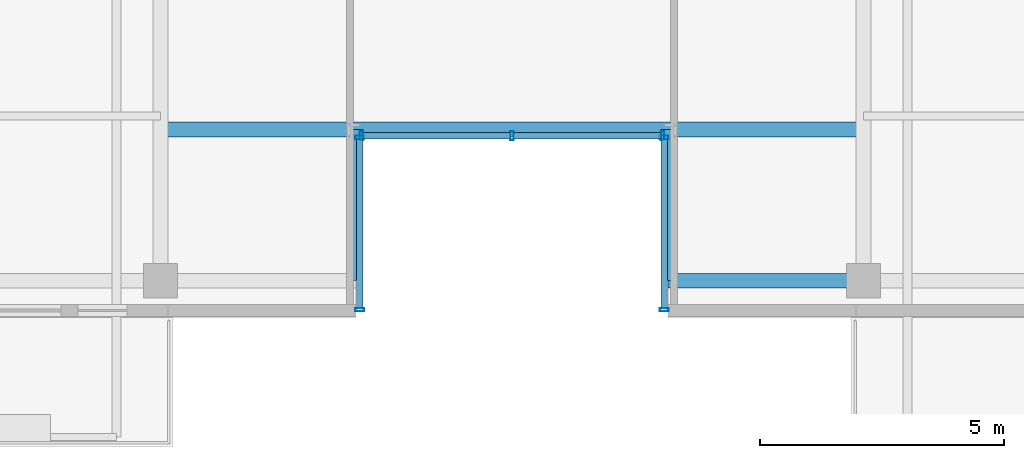
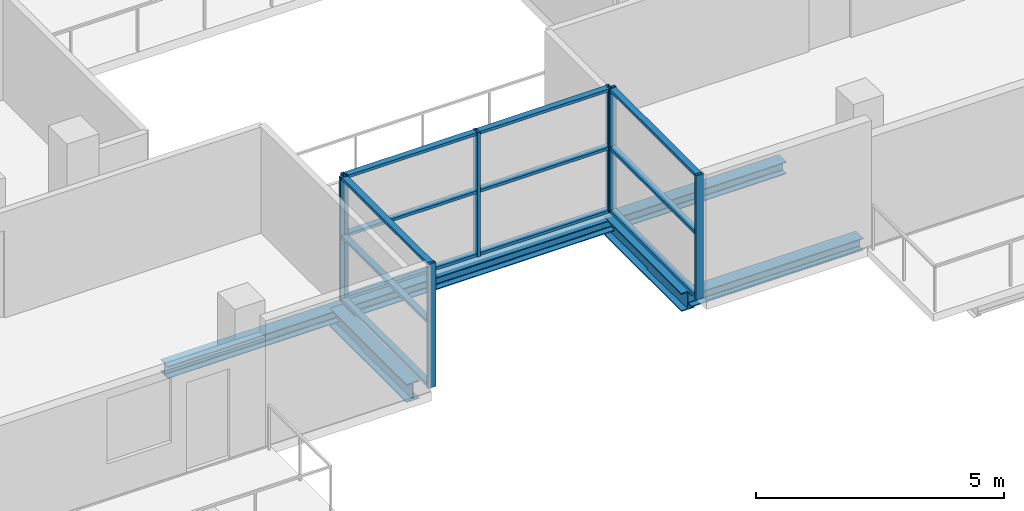
# One storey, part 3 of 21: 19 members, 4 beams, 3 elements without a shape of their own.
"""IFC4 building model written with IfcOpenShell, lengths in metres."""

from ifc_helpers import new_model, si_unit, direction, frame, origin, origin_2d, place, context, subcontext, project, spatial, hollow_rectangle, i_section, extrude, source, transform, mapped, material, layer, layer_set, material_profile, profile_set, type_object, element, aggregate, save


model = new_model("IFC4")

# Units and contexts
model_context = context("Model", 3, precision=1e-05, world=origin(), true_north=direction((0.0, 1.0)))
body_context = subcontext(model_context, "Body", "Model", "MODEL_VIEW")
ifc_project = project(units=[si_unit("LENGTHUNIT", "METRE"), si_unit("AREAUNIT", "SQUARE_METRE"), si_unit("VOLUMEUNIT", "CUBIC_METRE"), si_unit("PLANEANGLEUNIT", "RADIAN"), si_unit("MASSUNIT", "GRAM", prefix="KILO")], contexts=[model_context])

# Site, building, storey
site_placement = place(None, origin())
site = spatial("IfcSite", under=ifc_project, at=site_placement, CompositionType="ELEMENT")
building_placement = place(site_placement, origin())
building = spatial("IfcBuilding", under=site, at=building_placement, Name="Zarnakvel Exchange Tower", CompositionType="ELEMENT")
storey_placement = place(building_placement, frame((0.0, 0.0, 241.89990234375)))
storey = spatial("IfcBuildingStorey", under=building, at=storey_placement, Name="L68", CompositionType="ELEMENT", Elevation=241.89990234375)

# Beams
ifc_material_1 = material(Name="Steel S355", Category="steel")
ifc_material_profile_1 = material_profile(ifc_material_1, i_section(OverallWidth=0.300048828125, OverallDepth=0.449951171875, WebThickness=0.013916015625, FlangeThickness=0.02587890625, FilletRadius=0.027099609375, at=origin_2d()))
ifc_profile_set_1 = profile_set([ifc_material_profile_1], Name="Steel S355")
beam_type_1 = type_object("IfcBeamType", Name="G-07", PredefinedType="BEAM", material=ifc_profile_set_1)
for number, where, z_axis, x_axis, name in (
    (1, (-3.199951171875, -16.35009765625, -0.449951171875), (0.0, 1.0, 0.0), (-1.0, 0.0, 0.0), "L68 South Slot West Cheek Beam"),
    (2, (3.199951171875, -16.35009765625, -0.449951171875), (0.0, 1.0, 0.0), (-1.0, 0.0, 0.0), "L68 South Slot East Cheek Beam"),
):
    element("IfcBeam", number, at=place(storey_placement, frame(where, z_axis=z_axis, x_axis=x_axis)), inside=storey, type_object=beam_type_1, Name=name, PredefinedType="BEAM", context=body_context, shape_type="SweptSolid", body=[
        extrude(i_section(OverallWidth=0.300048828125, OverallDepth=0.449951171875, WebThickness=0.013916015625, FlangeThickness=0.02587890625, FilletRadius=0.027099609375, at=origin_2d()), origin(), (0.0, 0.0, 1.0), 3.10009765625),
    ])
ifc_material_profile_2 = material_profile(ifc_material_1, i_section(OverallWidth=0.300048828125, OverallDepth=0.300048828125, WebThickness=0.010986328125, FlangeThickness=0.01904296875, FilletRadius=0.027099609375, at=origin_2d()))
ifc_profile_set_2 = profile_set([ifc_material_profile_2], Name="Steel S355")
beam_type_2 = type_object("IfcBeamType", Name="SP-03", PredefinedType="SPANDREL", material=ifc_profile_set_2)
beam_1_placement = place(storey_placement, frame((3.199951171875, -16.35009765625, -0.375), z_axis=(1.0, 0.0, 0.0), x_axis=(0.0, 1.0, 0.0)))
element("IfcBeam", 3, at=beam_1_placement, inside=storey, type_object=beam_type_2, Name="L68 South Slot East Jamb Spandrel", PredefinedType="SPANDREL", context=body_context, shape_type="SweptSolid", body=[
    extrude(i_section(OverallWidth=0.300048828125, OverallDepth=0.300048828125, WebThickness=0.010986328125, FlangeThickness=0.01904296875, FilletRadius=0.027099609375, at=origin_2d()), origin(), (0.0, 0.0, 1.0), 4.0),
])
beam_2_placement = place(storey_placement, frame((-7.199951171875, -13.25, -0.375), z_axis=(1.0, 0.0, 0.0), x_axis=(0.0, 1.0, 0.0)))
element("IfcBeam", 4, at=beam_2_placement, inside=storey, type_object=beam_type_2, Name="L68 South Slot Head Trimmer Girder", PredefinedType="SPANDREL", context=body_context, shape_type="SweptSolid", body=[
    extrude(i_section(OverallWidth=0.300048828125, OverallDepth=0.300048828125, WebThickness=0.010986328125, FlangeThickness=0.01904296875, FilletRadius=0.027099609375, at=origin_2d()), origin(), (0.0, 0.0, 1.0), 14.39990234375),
])

# Curtain wall, members
ifc_material_2 = material(Name="Architectural Bronze Anodised Aluminium", Category="aluminium")
ifc_layer = layer(ifc_material_2, 0.179931640625)
ifc_layer_set = layer_set([ifc_layer], Name="Architectural Bronze Anodised Aluminium")
curtain_wall_type = type_object("IfcCurtainWallType", Name="CW-05", PredefinedType="NOTDEFINED", material=ifc_layer_set)
curtain_wall_1_placement = place(storey_placement, origin())
curtain_wall_1 = element("IfcCurtainWall", 5, at=curtain_wall_1_placement, inside=storey, type_object=curtain_wall_type, Name="L68 Curtain Wall CW-L68-SLW (CW-05)", PredefinedType="NOTDEFINED")
ifc_material_profile_3 = material_profile(ifc_material_2, hollow_rectangle(XDim=0.179931640625, YDim=0.070068359375, WallThickness=0.00390625, at=origin_2d()))
ifc_profile_set_3 = profile_set([ifc_material_profile_3], Name="Architectural Bronze Anodised Aluminium")
member_type_1 = type_object("IfcMemberType", Name="CWM-05", PredefinedType="MULLION", material=ifc_profile_set_3)
shared_shape_1 = source(origin(), body_context, "Body", "SweptSolid", [
    extrude(hollow_rectangle(XDim=0.179931640625, YDim=0.070068359375, WallThickness=0.00390625, at=origin_2d()), origin(), (0.0, 0.0, 1.0), 3.05517578125),
])
member_1_placement = place(storey_placement, frame((-3.1201171875, -16.945068359375, 0.0), z_axis=(0.0, 0.0, 1.0), x_axis=(-1.0, 0.0, 0.0)))
member_1 = element("IfcMember", 6, at=member_1_placement, type_object=member_type_1, Name="CW-05 mullion 1", PredefinedType="MULLION", context=body_context, shape_type="MappedRepresentation", body=[
    mapped(shared_shape_1, transform((0.0, 0.0, 0.0), x_axis=(1.0, 0.0, 0.0), y_axis=(0.0, 1.0, 0.0), z_axis=(0.0, 0.0, 1.0), scale=1.0)),
])
member_2_placement = place(storey_placement, frame((-3.1201171875, -13.4150390625, 0.0), z_axis=(0.0, 0.0, 1.0), x_axis=(-1.0, 0.0, 0.0)))
member_2 = element("IfcMember", 7, at=member_2_placement, type_object=member_type_1, Name="CW-05 mullion 2", PredefinedType="MULLION", context=body_context, shape_type="MappedRepresentation", body=[
    mapped(shared_shape_1, transform((0.0, 0.0, 0.0), x_axis=(1.0, 0.0, 0.0), y_axis=(0.0, 1.0, 0.0), z_axis=(0.0, 0.0, 1.0), scale=1.0)),
])

curtain_wall_2_placement = place(storey_placement, origin())
curtain_wall_2 = element("IfcCurtainWall", 8, at=curtain_wall_2_placement, inside=storey, type_object=curtain_wall_type, Name="L68 Curtain Wall CW-L68-SLB (CW-05)", PredefinedType="NOTDEFINED")
member_3_placement = place(storey_placement, frame((-3.0849609375, -13.3798828125, 0.0), z_axis=(0.0, 0.0, 1.0), x_axis=(0.0, 1.0, 0.0)))
member_3 = element("IfcMember", 9, at=member_3_placement, type_object=member_type_1, Name="CW-05 mullion 1", PredefinedType="MULLION", context=body_context, shape_type="MappedRepresentation", body=[
    mapped(shared_shape_1, transform((0.0, 0.0, 0.0), x_axis=(1.0, 0.0, 0.0), y_axis=(0.0, 1.0, 0.0), z_axis=(0.0, 0.0, 1.0), scale=1.0)),
])
member_4_placement = place(storey_placement, frame((0.0, -13.3798828125, 0.0), z_axis=(0.0, 0.0, 1.0), x_axis=(0.0, 1.0, 0.0)))
member_4 = element("IfcMember", 10, at=member_4_placement, type_object=member_type_1, Name="CW-05 mullion 2", PredefinedType="MULLION", context=body_context, shape_type="MappedRepresentation", body=[
    mapped(shared_shape_1, transform((0.0, 0.0, 0.0), x_axis=(1.0, 0.0, 0.0), y_axis=(0.0, 1.0, 0.0), z_axis=(0.0, 0.0, 1.0), scale=1.0)),
])
member_5_placement = place(storey_placement, frame((3.0849609375, -13.3798828125, 0.0), z_axis=(0.0, 0.0, 1.0), x_axis=(0.0, 1.0, 0.0)))
member_5 = element("IfcMember", 11, at=member_5_placement, type_object=member_type_1, Name="CW-05 mullion 3", PredefinedType="MULLION", context=body_context, shape_type="MappedRepresentation", body=[
    mapped(shared_shape_1, transform((0.0, 0.0, 0.0), x_axis=(1.0, 0.0, 0.0), y_axis=(0.0, 1.0, 0.0), z_axis=(0.0, 0.0, 1.0), scale=1.0)),
])

curtain_wall_3_placement = place(storey_placement, origin())
curtain_wall_3 = element("IfcCurtainWall", 12, at=curtain_wall_3_placement, inside=storey, type_object=curtain_wall_type, Name="L68 Curtain Wall CW-L68-SLE (CW-05)", PredefinedType="NOTDEFINED")
member_6_placement = place(storey_placement, frame((3.1201171875, -13.4150390625, 0.0), z_axis=(0.0, 0.0, 1.0), x_axis=(1.0, 0.0, 0.0)))
member_6 = element("IfcMember", 13, at=member_6_placement, type_object=member_type_1, Name="CW-05 mullion 1", PredefinedType="MULLION", context=body_context, shape_type="MappedRepresentation", body=[
    mapped(shared_shape_1, transform((0.0, 0.0, 0.0), x_axis=(1.0, 0.0, 0.0), y_axis=(0.0, 1.0, 0.0), z_axis=(0.0, 0.0, 1.0), scale=1.0)),
])
member_7_placement = place(storey_placement, frame((3.1201171875, -16.945068359375, 0.0), z_axis=(0.0, 0.0, 1.0), x_axis=(1.0, 0.0, 0.0)))
member_7 = element("IfcMember", 14, at=member_7_placement, type_object=member_type_1, Name="CW-05 mullion 2", PredefinedType="MULLION", context=body_context, shape_type="MappedRepresentation", body=[
    mapped(shared_shape_1, transform((0.0, 0.0, 0.0), x_axis=(1.0, 0.0, 0.0), y_axis=(0.0, 1.0, 0.0), z_axis=(0.0, 0.0, 1.0), scale=1.0)),
])

# Member
ifc_material_profile_4 = material_profile(ifc_material_2, hollow_rectangle(XDim=0.139892578125, YDim=0.070068359375, WallThickness=0.00390625, at=origin_2d()))
ifc_profile_set_4 = profile_set([ifc_material_profile_4], Name="Architectural Bronze Anodised Aluminium")
member_type_2 = type_object("IfcMemberType", Name="CWT-05", PredefinedType="USERDEFINED", material=ifc_profile_set_4)
shared_shape_2 = source(origin(), body_context, "Body", "SweptSolid", [
    extrude(hollow_rectangle(XDim=0.139892578125, YDim=0.070068359375, WallThickness=0.00390625, at=origin_2d()), origin(), (0.0, 0.0, 1.0), 3.4599609375),
])
member_8_placement = place(storey_placement, frame((-3.1201171875, -16.909912109375, 0.03515625), z_axis=(0.0, 1.0, 0.0), x_axis=(-1.0, 0.0, 0.0)))
member_8 = element("IfcMember", 15, at=member_8_placement, type_object=member_type_2, Name="CW-05 transom 1.1", ObjectType="TRANSOM", PredefinedType="USERDEFINED", context=body_context, shape_type="MappedRepresentation", body=[
    mapped(shared_shape_2, transform((0.0, 0.0, 0.0), x_axis=(1.0, 0.0, 0.0), y_axis=(0.0, 1.0, 0.0), z_axis=(0.0, 0.0, 1.0), scale=1.0)),
])

member_9_placement = place(storey_placement, frame((-3.1201171875, -16.909912109375, 1.588623046875), z_axis=(0.0, 1.0, 0.0), x_axis=(-1.0, 0.0, 0.0)))
member_9 = element("IfcMember", 16, at=member_9_placement, type_object=member_type_2, Name="CW-05 transom 1.2", ObjectType="TRANSOM", PredefinedType="USERDEFINED", context=body_context, shape_type="MappedRepresentation", body=[
    mapped(shared_shape_2, transform((0.0, 0.0, 0.0), x_axis=(1.0, 0.0, 0.0), y_axis=(0.0, 1.0, 0.0), z_axis=(0.0, 0.0, 1.0), scale=1.0)),
])

member_10_placement = place(storey_placement, frame((-3.1201171875, -16.909912109375, 3.02001953125), z_axis=(0.0, 1.0, 0.0), x_axis=(-1.0, 0.0, 0.0)))
member_10 = element("IfcMember", 17, at=member_10_placement, type_object=member_type_2, Name="CW-05 transom 1.3", ObjectType="TRANSOM", PredefinedType="USERDEFINED", context=body_context, shape_type="MappedRepresentation", body=[
    mapped(shared_shape_2, transform((0.0, 0.0, 0.0), x_axis=(1.0, 0.0, 0.0), y_axis=(0.0, 1.0, 0.0), z_axis=(0.0, 0.0, 1.0), scale=1.0)),
])

aggregate(curtain_wall_1, [member_1, member_2, member_8, member_9, member_10])

member_11_placement = place(storey_placement, frame((3.1201171875, -13.449951171875, 0.03515625), z_axis=(0.0, -1.0, 0.0), x_axis=(1.0, 0.0, 0.0)))
member_11 = element("IfcMember", 18, at=member_11_placement, type_object=member_type_2, Name="CW-05 transom 1.1", ObjectType="TRANSOM", PredefinedType="USERDEFINED", context=body_context, shape_type="MappedRepresentation", body=[
    mapped(shared_shape_2, transform((0.0, 0.0, 0.0), x_axis=(1.0, 0.0, 0.0), y_axis=(0.0, 1.0, 0.0), z_axis=(0.0, 0.0, 1.0), scale=1.0)),
])

member_12_placement = place(storey_placement, frame((3.1201171875, -13.449951171875, 1.588623046875), z_axis=(0.0, -1.0, 0.0), x_axis=(1.0, 0.0, 0.0)))
member_12 = element("IfcMember", 19, at=member_12_placement, type_object=member_type_2, Name="CW-05 transom 1.2", ObjectType="TRANSOM", PredefinedType="USERDEFINED", context=body_context, shape_type="MappedRepresentation", body=[
    mapped(shared_shape_2, transform((0.0, 0.0, 0.0), x_axis=(1.0, 0.0, 0.0), y_axis=(0.0, 1.0, 0.0), z_axis=(0.0, 0.0, 1.0), scale=1.0)),
])

member_13_placement = place(storey_placement, frame((3.1201171875, -13.449951171875, 3.02001953125), z_axis=(0.0, -1.0, 0.0), x_axis=(1.0, 0.0, 0.0)))
member_13 = element("IfcMember", 20, at=member_13_placement, type_object=member_type_2, Name="CW-05 transom 1.3", ObjectType="TRANSOM", PredefinedType="USERDEFINED", context=body_context, shape_type="MappedRepresentation", body=[
    mapped(shared_shape_2, transform((0.0, 0.0, 0.0), x_axis=(1.0, 0.0, 0.0), y_axis=(0.0, 1.0, 0.0), z_axis=(0.0, 0.0, 1.0), scale=1.0)),
])

aggregate(curtain_wall_3, [member_6, member_7, member_11, member_12, member_13])

shared_shape_3 = source(origin(), body_context, "Body", "SweptSolid", [
    extrude(hollow_rectangle(XDim=0.139892578125, YDim=0.070068359375, WallThickness=0.00390625, at=origin_2d()), origin(), (0.0, 0.0, 1.0), 3.01513671875),
])
member_14_placement = place(storey_placement, frame((-3.050048828125, -13.3798828125, 0.03515625), z_axis=(1.0, 0.0, 0.0), x_axis=(0.0, 1.0, 0.0)))
member_14 = element("IfcMember", 21, at=member_14_placement, type_object=member_type_2, Name="CW-05 transom 1.1", ObjectType="TRANSOM", PredefinedType="USERDEFINED", context=body_context, shape_type="MappedRepresentation", body=[
    mapped(shared_shape_3, transform((0.0, 0.0, 0.0), x_axis=(1.0, 0.0, 0.0), y_axis=(0.0, 1.0, 0.0), z_axis=(0.0, 0.0, 1.0), scale=1.0)),
])

member_15_placement = place(storey_placement, frame((-3.050048828125, -13.3798828125, 1.588623046875), z_axis=(1.0, 0.0, 0.0), x_axis=(0.0, 1.0, 0.0)))
member_15 = element("IfcMember", 22, at=member_15_placement, type_object=member_type_2, Name="CW-05 transom 1.2", ObjectType="TRANSOM", PredefinedType="USERDEFINED", context=body_context, shape_type="MappedRepresentation", body=[
    mapped(shared_shape_3, transform((0.0, 0.0, 0.0), x_axis=(1.0, 0.0, 0.0), y_axis=(0.0, 1.0, 0.0), z_axis=(0.0, 0.0, 1.0), scale=1.0)),
])

member_16_placement = place(storey_placement, frame((-3.050048828125, -13.3798828125, 3.02001953125), z_axis=(1.0, 0.0, 0.0), x_axis=(0.0, 1.0, 0.0)))
member_16 = element("IfcMember", 23, at=member_16_placement, type_object=member_type_2, Name="CW-05 transom 1.3", ObjectType="TRANSOM", PredefinedType="USERDEFINED", context=body_context, shape_type="MappedRepresentation", body=[
    mapped(shared_shape_3, transform((0.0, 0.0, 0.0), x_axis=(1.0, 0.0, 0.0), y_axis=(0.0, 1.0, 0.0), z_axis=(0.0, 0.0, 1.0), scale=1.0)),
])

member_17_placement = place(storey_placement, frame((0.034912109375, -13.3798828125, 0.03515625), z_axis=(1.0, 0.0, 0.0), x_axis=(0.0, 1.0, 0.0)))
member_17 = element("IfcMember", 24, at=member_17_placement, type_object=member_type_2, Name="CW-05 transom 2.1", ObjectType="TRANSOM", PredefinedType="USERDEFINED", context=body_context, shape_type="MappedRepresentation", body=[
    mapped(shared_shape_3, transform((0.0, 0.0, 0.0), x_axis=(1.0, 0.0, 0.0), y_axis=(0.0, 1.0, 0.0), z_axis=(0.0, 0.0, 1.0), scale=1.0)),
])

member_18_placement = place(storey_placement, frame((0.034912109375, -13.3798828125, 1.588623046875), z_axis=(1.0, 0.0, 0.0), x_axis=(0.0, 1.0, 0.0)))
member_18 = element("IfcMember", 25, at=member_18_placement, type_object=member_type_2, Name="CW-05 transom 2.2", ObjectType="TRANSOM", PredefinedType="USERDEFINED", context=body_context, shape_type="MappedRepresentation", body=[
    mapped(shared_shape_3, transform((0.0, 0.0, 0.0), x_axis=(1.0, 0.0, 0.0), y_axis=(0.0, 1.0, 0.0), z_axis=(0.0, 0.0, 1.0), scale=1.0)),
])

member_19_placement = place(storey_placement, frame((0.034912109375, -13.3798828125, 3.02001953125), z_axis=(1.0, 0.0, 0.0), x_axis=(0.0, 1.0, 0.0)))
member_19 = element("IfcMember", 26, at=member_19_placement, type_object=member_type_2, Name="CW-05 transom 2.3", ObjectType="TRANSOM", PredefinedType="USERDEFINED", context=body_context, shape_type="MappedRepresentation", body=[
    mapped(shared_shape_3, transform((0.0, 0.0, 0.0), x_axis=(1.0, 0.0, 0.0), y_axis=(0.0, 1.0, 0.0), z_axis=(0.0, 0.0, 1.0), scale=1.0)),
])

aggregate(curtain_wall_2, [member_3, member_4, member_5, member_14, member_15, member_16, member_17, member_18, member_19])

save(model, "model.ifc")
